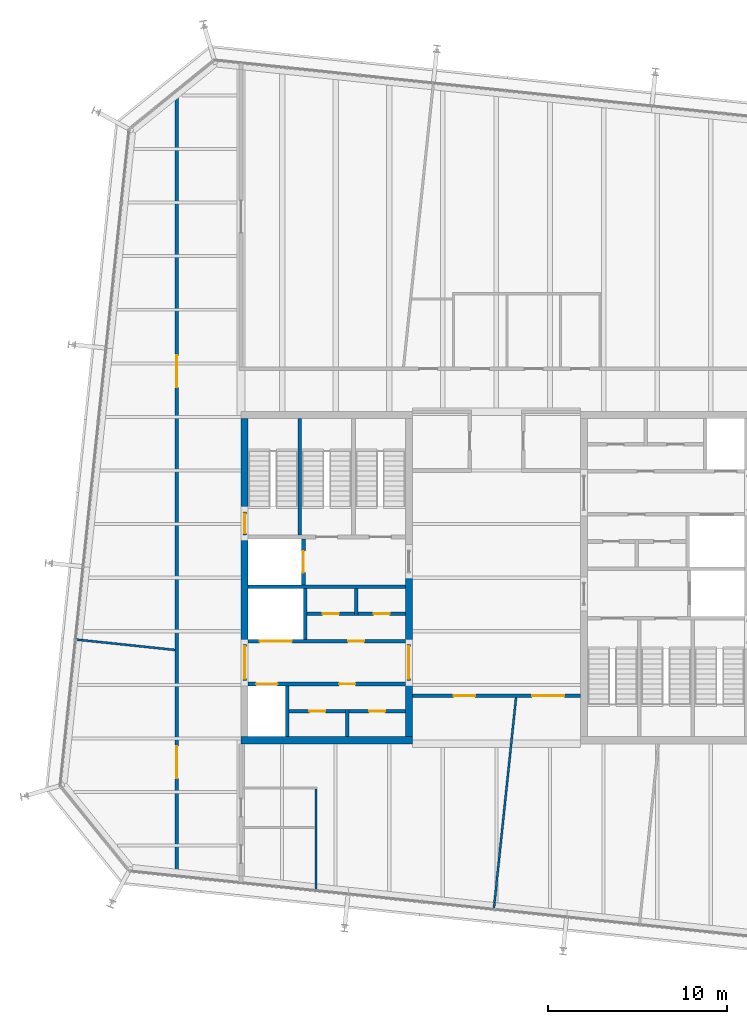
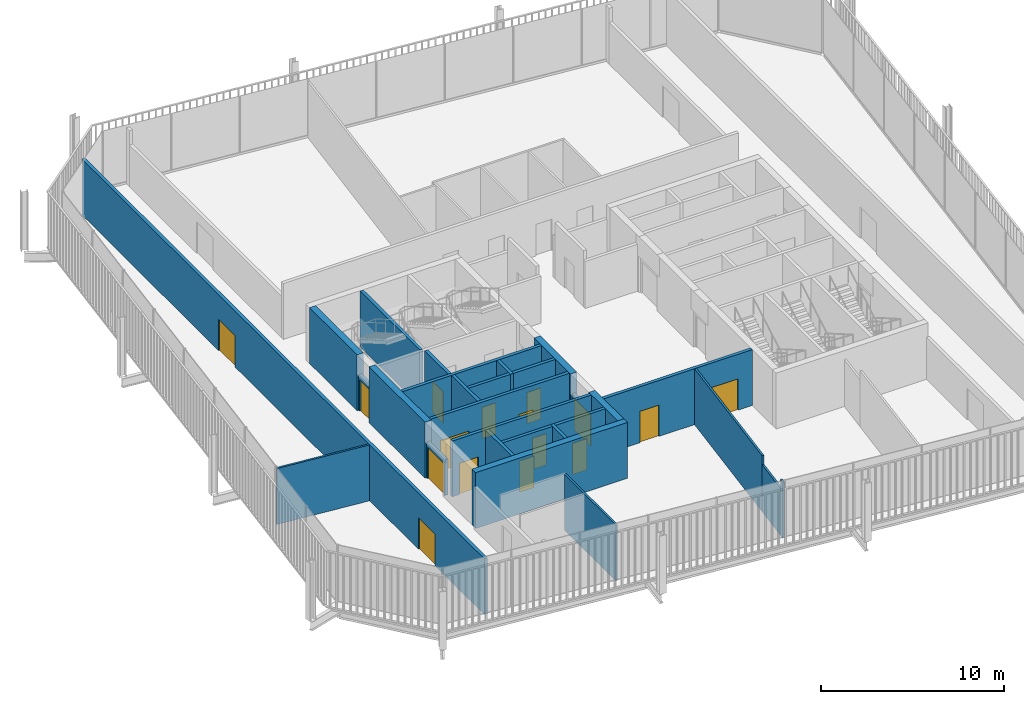
# One storey, part 16 of 20: 26 walls, 16 doors, 16 openings.
"""IFC4 building model written with IfcOpenShell, lengths in metres."""

from ifc_helpers import new_model, si_unit, direction, frame, frame_2d, origin, place, context, subcontext, project, spatial, rectangle, extrude, material, layer, layer_set, type_object, element, fill, save


model = new_model("IFC4")

# Units and contexts
model_context = context("Model", 3, precision=1e-05, world=origin(), true_north=direction((0.0, 1.0)))
body_context = subcontext(model_context, "Body", "Model", "MODEL_VIEW")
ifc_project = project(units=[si_unit("LENGTHUNIT", "METRE"), si_unit("AREAUNIT", "SQUARE_METRE"), si_unit("VOLUMEUNIT", "CUBIC_METRE"), si_unit("PLANEANGLEUNIT", "RADIAN"), si_unit("MASSUNIT", "GRAM", prefix="KILO")], contexts=[model_context])

# Site, building, storey
site_placement = place(None, origin())
site = spatial("IfcSite", under=ifc_project, at=site_placement, CompositionType="ELEMENT")
building_placement = place(site_placement, origin())
building = spatial("IfcBuilding", under=site, at=building_placement, Name="Millrace Tower", CompositionType="ELEMENT")
storey_placement = place(building_placement, frame((0.0, 0.0, 322.60009765625)))
storey = spatial("IfcBuildingStorey", under=building, at=storey_placement, Name="L74", CompositionType="ELEMENT", Elevation=322.60009765625)

# Walls
ifc_material_1 = material(Name="Concrete C60", Category="concrete")
ifc_layer_1 = layer(ifc_material_1, 0.39990234375)
ifc_layer_set_1 = layer_set([ifc_layer_1], Name="Concrete C60")
wall_type_1 = type_object("IfcWallType", Name="Core wall 400 Concrete C60", PredefinedType="SHEAR", material=ifc_layer_set_1)
wall_1_placement = place(storey_placement, frame((-14.300048828125, -9.10009765625, 0.0), z_axis=(0.0, 0.0, 1.0), x_axis=(1.0, 0.0, 0.0)))
element("IfcWall", 1, at=wall_1_placement, inside=storey, type_object=wall_type_1, Name="Core wall W L74", PredefinedType="SHEAR", context=body_context, shape_type="SweptSolid", body=[
    extrude(rectangle(XDim=9.60009765625, YDim=0.39990234375, at=frame_2d((4.800048828125, 0.0))), origin(), (0.0, 0.0, 1.0), 3.739990234375),
])
wall_2_placement = place(storey_placement, frame((-14.10009765625, -3.75, 0.0), z_axis=(0.0, 0.0, 1.0), x_axis=(0.0, 1.0, 0.0)))
element("IfcWall", 2, at=wall_2_placement, inside=storey, type_object=wall_type_1, Name="Core wall W L74", PredefinedType="SHEAR", context=body_context, shape_type="SweptSolid", body=[
    extrude(rectangle(XDim=6.1298828125, YDim=0.39990234375, at=frame_2d((3.06494140625, 0.0))), origin(), (0.0, 0.0, 1.0), 3.739990234375),
])
wall_3_placement = place(storey_placement, frame((-14.10009765625, 3.679931640625, 0.0), z_axis=(0.0, 0.0, 1.0), x_axis=(0.0, 1.0, 0.0)))
element("IfcWall", 3, at=wall_3_placement, inside=storey, type_object=wall_type_1, Name="Core wall W L74", PredefinedType="SHEAR", context=body_context, shape_type="SweptSolid", body=[
    extrude(rectangle(XDim=5.219970703125, YDim=0.39990234375, at=frame_2d((2.60986328125, 0.0))), origin(), (0.0, 0.0, 1.0), 3.739990234375),
])
wall_4_placement = place(storey_placement, frame((-4.89990234375, -8.89990234375, 0.0), z_axis=(0.0, 0.0, 1.0), x_axis=(0.0, 1.0, 0.0)))
element("IfcWall", 4, at=wall_4_placement, inside=storey, type_object=wall_type_1, Name="Core wall W L74", PredefinedType="SHEAR", context=body_context, shape_type="SweptSolid", body=[
    extrude(rectangle(XDim=3.14990234375, YDim=0.39990234375, at=frame_2d((1.574951171875, 0.0))), origin(), (0.0, 0.0, 1.0), 3.739990234375),
])
wall_5_placement = place(storey_placement, frame((-4.89990234375, -3.75, 0.0), z_axis=(0.0, 0.0, 1.0), x_axis=(0.0, 1.0, 0.0)))
element("IfcWall", 5, at=wall_5_placement, inside=storey, type_object=wall_type_1, Name="Core wall W L74", PredefinedType="SHEAR", context=body_context, shape_type="SweptSolid", body=[
    extrude(rectangle(XDim=4.0, YDim=0.39990234375, at=frame_2d((2.0, 0.0))), origin(), (0.0, 0.0, 1.0), 3.739990234375),
])

# Wall, openings, doors
ifc_material_2 = material(Name="Masonry partition, fire-rated", Category="masonry")
ifc_layer_2 = layer(ifc_material_2, 0.199951171875)
ifc_layer_set_2 = layer_set([ifc_layer_2], Name="Masonry partition, fire-rated")
wall_type_2 = type_object("IfcWallType", Name="Corridor wall 200", PredefinedType="PARTITIONING", material=ifc_layer_set_2)
wall_6_placement = place(storey_placement, frame((-4.699951171875, -6.60009765625, 0.0), z_axis=(0.0, 0.0, 1.0), x_axis=(1.0, 0.0, 0.0)))
wall_6 = element("IfcWall", 6, at=wall_6_placement, inside=storey, type_object=wall_type_2, Name="Corridor wall L74", PredefinedType="PARTITIONING", context=body_context, shape_type="SweptSolid", body=[
    extrude(rectangle(XDim=9.39990234375, YDim=0.199951171875, at=frame_2d((4.699951171875, 0.0))), origin(), (0.0, 0.0, 1.0), 3.739990234375),
])
opening_1_placement = place(wall_6_placement, frame((2.304931640625, 0.0, 0.0)))
opening_1 = element("IfcOpeningElement", 7, at=opening_1_placement, cuts=wall_6, Name="Opening 74-P011", PredefinedType="OPENING", context=body_context, shape_type="SweptSolid", body=[
    extrude(rectangle(XDim=1.199951171875, YDim=2.10009765625, at=frame_2d((0.60009765625, 1.050048828125))), frame((0.0, 0.10986328125, 0.0), z_axis=(0.0, -1.0, 0.0), x_axis=(1.0, 0.0, 0.0)), (0.0, 0.0, 1.0), 0.219970703125),
])
opening_2_placement = place(wall_6_placement, frame((6.705078125, 0.0, 0.0)))
opening_2 = element("IfcOpeningElement", 8, at=opening_2_placement, cuts=wall_6, Name="Opening 74-P012", PredefinedType="OPENING", context=body_context, shape_type="SweptSolid", body=[
    extrude(rectangle(XDim=1.800048828125, YDim=2.10009765625, at=frame_2d((0.89990234375, 1.050048828125))), frame((0.0, 0.10986328125, 0.0), z_axis=(0.0, -1.0, 0.0), x_axis=(1.0, 0.0, 0.0)), (0.0, 0.0, 1.0), 0.219970703125),
])
ifc_material_3 = material(Name="Steel door set, fire-rated", Category="steel")
door_type_1 = type_object("IfcDoorType", Name="Corridor door 1200 x 2100", OperationType="SINGLE_SWING_LEFT", PredefinedType="DOOR", material=ifc_material_3)
door_1_placement = place(opening_1_placement, frame((1.199951171875, 0.0, 0.0), z_axis=(0.0, 0.0, 1.0), x_axis=(-1.0, 0.0, 0.0)))
door_1 = element("IfcDoor", 9, at=door_1_placement, inside=storey, type_object=door_type_1, Name="Door 74-P011", OperationType="SINGLE_SWING_RIGHT", OverallHeight=2.10009765625, OverallWidth=1.199951171875, PredefinedType="DOOR", context=body_context, shape_type="SweptSolid", body=[
    extrude(rectangle(XDim=1.199951171875, YDim=2.10009765625, at=frame_2d((0.60009765625, 1.050048828125))), frame((0.0, 0.02490234375, 0.0), z_axis=(0.0, -1.0, 0.0), x_axis=(1.0, 0.0, 0.0)), (0.0, 0.0, 1.0), 0.050048828125),
])
fill(opening_1, door_1)
ifc_material_4 = material(Name="Steel door set, fire-rated", Category="steel")
door_type_2 = type_object("IfcDoorType", Name="Corridor door 1800 x 2100", OperationType="DOUBLE_DOOR_SINGLE_SWING", PredefinedType="DOOR", material=ifc_material_4)
door_2_placement = place(opening_2_placement, frame((1.800048828125, 0.0, 0.0), z_axis=(0.0, 0.0, 1.0), x_axis=(-1.0, 0.0, 0.0)))
door_2 = element("IfcDoor", 10, at=door_2_placement, inside=storey, type_object=door_type_2, Name="Door 74-P012", OperationType="DOUBLE_DOOR_SINGLE_SWING", OverallHeight=2.10009765625, OverallWidth=1.800048828125, PredefinedType="DOOR", context=body_context, shape_type="SweptSolid", body=[
    extrude(rectangle(XDim=1.800048828125, YDim=2.10009765625, at=frame_2d((0.89990234375, 1.050048828125))), frame((0.0, 0.02490234375, 0.0), z_axis=(0.0, -1.0, 0.0), x_axis=(1.0, 0.0, 0.0)), (0.0, 0.0, 1.0), 0.050048828125),
])
fill(opening_2, door_2)

wall_7_placement = place(storey_placement, frame((-17.89990234375, -16.653076171875, 0.0), z_axis=(0.0, 0.0, 1.0), x_axis=(0.0, 1.0, 0.0)))
wall_7 = element("IfcWall", 11, at=wall_7_placement, inside=storey, type_object=wall_type_2, Name="Corridor wall L74", PredefinedType="PARTITIONING", context=body_context, shape_type="SweptSolid", body=[
    extrude(rectangle(XDim=44.071533203125, YDim=0.199951171875, at=frame_2d((22.03564453125, 0.0))), origin(), (0.0, 0.0, 1.0), 3.739990234375),
])
opening_3_placement = place(wall_7_placement, frame((5.424560546875, 0.0, 0.0)))
opening_3 = element("IfcOpeningElement", 12, at=opening_3_placement, cuts=wall_7, Name="Opening 74-P003", PredefinedType="OPENING", context=body_context, shape_type="SweptSolid", body=[
    extrude(rectangle(XDim=1.800048828125, YDim=2.10009765625, at=frame_2d((0.89990234375, 1.050048828125))), frame((0.0, 0.10986328125, 0.0), z_axis=(0.0, -1.0, 0.0), x_axis=(1.0, 0.0, 0.0)), (0.0, 0.0, 1.0), 0.219970703125),
])
opening_4_placement = place(wall_7_placement, frame((27.302978515625, 0.0, 0.0)))
opening_4 = element("IfcOpeningElement", 13, at=opening_4_placement, cuts=wall_7, Name="Opening 74-P004", PredefinedType="OPENING", context=body_context, shape_type="SweptSolid", body=[
    extrude(rectangle(XDim=1.800048828125, YDim=2.10009765625, at=frame_2d((0.89990234375, 1.050048828125))), frame((0.0, 0.10986328125, 0.0), z_axis=(0.0, -1.0, 0.0), x_axis=(1.0, 0.0, 0.0)), (0.0, 0.0, 1.0), 0.219970703125),
])
door_3_placement = place(opening_3_placement, origin())
door_3 = element("IfcDoor", 14, at=door_3_placement, inside=storey, type_object=door_type_2, Name="Door 74-P003", OperationType="DOUBLE_DOOR_SINGLE_SWING", OverallHeight=2.10009765625, OverallWidth=1.800048828125, PredefinedType="DOOR", context=body_context, shape_type="SweptSolid", body=[
    extrude(rectangle(XDim=1.800048828125, YDim=2.10009765625, at=frame_2d((0.89990234375, 1.050048828125))), frame((0.0, 0.02490234375, 0.0), z_axis=(0.0, -1.0, 0.0), x_axis=(1.0, 0.0, 0.0)), (0.0, 0.0, 1.0), 0.050048828125),
])
fill(opening_3, door_3)
door_4_placement = place(opening_4_placement, origin())
door_4 = element("IfcDoor", 15, at=door_4_placement, inside=storey, type_object=door_type_2, Name="Door 74-P004", OperationType="DOUBLE_DOOR_SINGLE_SWING", OverallHeight=2.10009765625, OverallWidth=1.800048828125, PredefinedType="DOOR", context=body_context, shape_type="SweptSolid", body=[
    extrude(rectangle(XDim=1.800048828125, YDim=2.10009765625, at=frame_2d((0.89990234375, 1.050048828125))), frame((0.0, 0.02490234375, 0.0), z_axis=(0.0, -1.0, 0.0), x_axis=(1.0, 0.0, 0.0)), (0.0, 0.0, 1.0), 0.050048828125),
])
fill(opening_4, door_4)

ifc_material_5 = material(Name="Masonry partition, fire-rated", Category="masonry")
ifc_layer_3 = layer(ifc_material_5, 0.199951171875)
ifc_layer_set_3 = layer_set([ifc_layer_3], Name="Masonry partition, fire-rated")
wall_type_3 = type_object("IfcWallType", Name="Lift shaft wall 200", PredefinedType="PARTITIONING", material=ifc_layer_set_3)
wall_8_placement = place(storey_placement, frame((-13.89990234375, -5.949951171875, 0.0), z_axis=(0.0, 0.0, 1.0), x_axis=(1.0, 0.0, 0.0)))
wall_8 = element("IfcWall", 16, at=wall_8_placement, inside=storey, type_object=wall_type_3, Name="Lift shaft wall W L74", PredefinedType="PARTITIONING", context=body_context, shape_type="SweptSolid", body=[
    extrude(rectangle(XDim=8.7998046875, YDim=0.199951171875, at=frame_2d((4.39990234375, 0.0))), origin(), (0.0, 0.0, 1.0), 3.739990234375),
])
opening_5_placement = place(wall_8_placement, frame((0.449951171875, 0.0, 0.0)))
opening_5 = element("IfcOpeningElement", 17, at=opening_5_placement, cuts=wall_8, Name="Opening 74-LD01", PredefinedType="OPENING", context=body_context, shape_type="SweptSolid", body=[
    extrude(rectangle(XDim=1.199951171875, YDim=2.10009765625, at=frame_2d((0.60009765625, 1.050048828125))), frame((0.0, 0.10986328125, 0.0), z_axis=(0.0, -1.0, 0.0), x_axis=(1.0, 0.0, 0.0)), (0.0, 0.0, 1.0), 0.219970703125),
])
opening_6_placement = place(wall_8_placement, frame((5.10009765625, 0.0, 0.0)))
opening_6 = element("IfcOpeningElement", 18, at=opening_6_placement, cuts=wall_8, Name="Opening 74-C005", PredefinedType="OPENING", context=body_context, shape_type="SweptSolid", body=[
    extrude(rectangle(XDim=0.89990234375, YDim=2.10009765625, at=frame_2d((0.449951171875, 1.050048828125))), frame((0.0, 0.10986328125, 0.0), z_axis=(0.0, -1.0, 0.0), x_axis=(1.0, 0.0, 0.0)), (0.0, 0.0, 1.0), 0.219970703125),
])
ifc_material_6 = material(Name="Stainless steel, fire-rated", Category="steel")
door_type_3 = type_object("IfcDoorType", Name="Lift landing door 1200 x 2100", OperationType="DOUBLE_DOOR_SLIDING", PredefinedType="DOOR", material=ifc_material_6)
door_5_placement = place(opening_5_placement, origin())
door_5 = element("IfcDoor", 19, at=door_5_placement, inside=storey, type_object=door_type_3, Name="Lift landing door LF1 L74", OperationType="DOUBLE_DOOR_SLIDING", OverallHeight=2.10009765625, OverallWidth=1.199951171875, PredefinedType="DOOR", context=body_context, shape_type="SweptSolid", body=[
    extrude(rectangle(XDim=1.199951171875, YDim=2.10009765625, at=frame_2d((0.60009765625, 1.050048828125))), frame((0.0, 0.02490234375, 0.0), z_axis=(0.0, -1.0, 0.0), x_axis=(1.0, 0.0, 0.0)), (0.0, 0.0, 1.0), 0.050048828125),
])
fill(opening_5, door_5)
ifc_material_7 = material(Name="Steel door, fire-rated", Category="steel")
door_type_4 = type_object("IfcDoorType", Name="Service room door 900 x 2100", OperationType="SINGLE_SWING_LEFT", PredefinedType="DOOR", material=ifc_material_7)
door_6_placement = place(opening_6_placement, origin())
door_6 = element("IfcDoor", 20, at=door_6_placement, inside=storey, type_object=door_type_4, Name="Service room door 74-C005", OperationType="SINGLE_SWING_RIGHT", OverallHeight=2.10009765625, OverallWidth=0.89990234375, PredefinedType="DOOR", context=body_context, shape_type="SweptSolid", body=[
    extrude(rectangle(XDim=0.89990234375, YDim=2.10009765625, at=frame_2d((0.449951171875, 1.050048828125))), frame((0.0, 0.02490234375, 0.0), z_axis=(0.0, -1.0, 0.0), x_axis=(1.0, 0.0, 0.0)), (0.0, 0.0, 1.0), 0.050048828125),
])
fill(opening_6, door_6)

wall_9_placement = place(storey_placement, frame((-13.89990234375, -3.550048828125, 0.0), z_axis=(0.0, 0.0, 1.0), x_axis=(1.0, 0.0, 0.0)))
wall_9 = element("IfcWall", 21, at=wall_9_placement, inside=storey, type_object=wall_type_3, Name="Lift shaft wall W L74", PredefinedType="PARTITIONING", context=body_context, shape_type="SweptSolid", body=[
    extrude(rectangle(XDim=8.7998046875, YDim=0.199951171875, at=frame_2d((4.39990234375, 0.0))), origin(), (0.0, 0.0, 1.0), 3.739990234375),
])
opening_7_placement = place(wall_9_placement, frame((0.64990234375, 0.0, 0.0)))
opening_7 = element("IfcOpeningElement", 22, at=opening_7_placement, cuts=wall_9, Name="Opening 74-LD05", PredefinedType="OPENING", context=body_context, shape_type="SweptSolid", body=[
    extrude(rectangle(XDim=1.800048828125, YDim=2.10009765625, at=frame_2d((0.89990234375, 1.050048828125))), frame((0.0, 0.10986328125, 0.0), z_axis=(0.0, -1.0, 0.0), x_axis=(1.0, 0.0, 0.0)), (0.0, 0.0, 1.0), 0.219970703125),
])
opening_8_placement = place(wall_9_placement, frame((5.60009765625, 0.0, 0.0)))
opening_8 = element("IfcOpeningElement", 23, at=opening_8_placement, cuts=wall_9, Name="Opening 74-C008", PredefinedType="OPENING", context=body_context, shape_type="SweptSolid", body=[
    extrude(rectangle(XDim=0.89990234375, YDim=2.10009765625, at=frame_2d((0.449951171875, 1.050048828125))), frame((0.0, 0.10986328125, 0.0), z_axis=(0.0, -1.0, 0.0), x_axis=(1.0, 0.0, 0.0)), (0.0, 0.0, 1.0), 0.219970703125),
])
ifc_material_8 = material(Name="Stainless steel, fire-rated", Category="steel")
door_type_5 = type_object("IfcDoorType", Name="Lift landing door 1800 x 2100", OperationType="DOUBLE_DOOR_SLIDING", PredefinedType="DOOR", material=ifc_material_8)
door_7_placement = place(opening_7_placement, origin())
door_7 = element("IfcDoor", 24, at=door_7_placement, inside=storey, type_object=door_type_5, Name="Lift landing door LF5 L74", OperationType="DOUBLE_DOOR_SLIDING", OverallHeight=2.10009765625, OverallWidth=1.800048828125, PredefinedType="DOOR", context=body_context, shape_type="SweptSolid", body=[
    extrude(rectangle(XDim=1.800048828125, YDim=2.10009765625, at=frame_2d((0.89990234375, 1.050048828125))), frame((0.0, 0.02490234375, 0.0), z_axis=(0.0, -1.0, 0.0), x_axis=(1.0, 0.0, 0.0)), (0.0, 0.0, 1.0), 0.050048828125),
])
fill(opening_7, door_7)
door_8_placement = place(opening_8_placement, frame((0.89990234375, 0.0, 0.0), z_axis=(0.0, 0.0, 1.0), x_axis=(-1.0, 0.0, 0.0)))
door_8 = element("IfcDoor", 25, at=door_8_placement, inside=storey, type_object=door_type_4, Name="Service room door 74-C008", OperationType="SINGLE_SWING_LEFT", OverallHeight=2.10009765625, OverallWidth=0.89990234375, PredefinedType="DOOR", context=body_context, shape_type="SweptSolid", body=[
    extrude(rectangle(XDim=0.89990234375, YDim=2.10009765625, at=frame_2d((0.449951171875, 1.050048828125))), frame((0.0, 0.02490234375, 0.0), z_axis=(0.0, -1.0, 0.0), x_axis=(1.0, 0.0, 0.0)), (0.0, 0.0, 1.0), 0.050048828125),
])
fill(opening_8, door_8)

# Wall
wall_10_placement = place(storey_placement, frame((-13.89990234375, -0.5, 0.0), z_axis=(0.0, 0.0, 1.0), x_axis=(1.0, 0.0, 0.0)))
element("IfcWall", 26, at=wall_10_placement, inside=storey, type_object=wall_type_3, Name="Lift shaft wall W L74", PredefinedType="PARTITIONING", context=body_context, shape_type="SweptSolid", body=[
    extrude(rectangle(XDim=8.7998046875, YDim=0.199951171875, at=frame_2d((4.39990234375, 0.0))), origin(), (0.0, 0.0, 1.0), 3.739990234375),
])

# Wall, opening, door
wall_11_placement = place(storey_placement, frame((-10.800048828125, -0.39990234375, 0.0), z_axis=(0.0, 0.0, 1.0), x_axis=(0.0, 1.0, 0.0)))
wall_11 = element("IfcWall", 27, at=wall_11_placement, inside=storey, type_object=wall_type_3, Name="Lift shaft wall W L74", PredefinedType="PARTITIONING", context=body_context, shape_type="SweptSolid", body=[
    extrude(rectangle(XDim=2.579833984375, YDim=0.199951171875, at=frame_2d((1.2900390625, 0.0))), origin(), (0.0, 0.0, 1.0), 3.739990234375),
])
opening_9_placement = place(wall_11_placement, frame((0.68994140625, 0.0, 0.0)))
opening_9 = element("IfcOpeningElement", 28, at=opening_9_placement, cuts=wall_11, Name="Opening 74-LD08", PredefinedType="OPENING", context=body_context, shape_type="SweptSolid", body=[
    extrude(rectangle(XDim=1.199951171875, YDim=2.10009765625, at=frame_2d((0.60009765625, 1.050048828125))), frame((0.0, 0.10986328125, 0.0), z_axis=(0.0, -1.0, 0.0), x_axis=(1.0, 0.0, 0.0)), (0.0, 0.0, 1.0), 0.219970703125),
])
door_9_placement = place(opening_9_placement, origin())
door_9 = element("IfcDoor", 29, at=door_9_placement, inside=storey, type_object=door_type_3, Name="Lift landing door LF8 L74", OperationType="DOUBLE_DOOR_SLIDING", OverallHeight=2.10009765625, OverallWidth=1.199951171875, PredefinedType="DOOR", context=body_context, shape_type="SweptSolid", body=[
    extrude(rectangle(XDim=1.199951171875, YDim=2.10009765625, at=frame_2d((0.60009765625, 1.050048828125))), frame((0.0, 0.02490234375, 0.0), z_axis=(0.0, -1.0, 0.0), x_axis=(1.0, 0.0, 0.0)), (0.0, 0.0, 1.0), 0.050048828125),
])
fill(opening_9, door_9)

# Walls
for number, where, z_axis, x_axis, name in (
    (30, (-11.699951171875, -8.89990234375, 0.0), (0.0, 0.0, 1.0), (0.0, 1.0, 0.0), "Lift shaft wall W L74"),
    (31, (-10.699951171875, -3.449951171875, 0.0), (0.0, 0.0, 1.0), (0.0, 1.0, 0.0), "Lift shaft wall W L74"),
):
    element("IfcWall", number, at=place(storey_placement, frame(where, z_axis=z_axis, x_axis=x_axis)), inside=storey, type_object=wall_type_3, Name=name, PredefinedType="PARTITIONING", context=body_context, shape_type="SweptSolid", body=[
        extrude(rectangle(XDim=2.849853515625, YDim=0.199951171875, at=frame_2d((1.4248046875, 0.0))), origin(), (0.0, 0.0, 1.0), 3.739990234375),
    ])

# Wall, opening, door
ifc_material_9 = material(Name="Masonry partition, fire-rated", Category="masonry")
ifc_layer_4 = layer(ifc_material_9, 0.199951171875)
ifc_layer_set_4 = layer_set([ifc_layer_4], Name="Masonry partition, fire-rated")
wall_type_4 = type_object("IfcWallType", Name="Lobby wall 200", PredefinedType="PARTITIONING", material=ifc_layer_set_4)
wall_12_placement = place(storey_placement, frame((-14.10009765625, -5.75, 0.0), z_axis=(0.0, 0.0, 1.0), x_axis=(0.0, 1.0, 0.0)))
wall_12 = element("IfcWall", 32, at=wall_12_placement, inside=storey, type_object=wall_type_4, Name="Lobby wall W L74", PredefinedType="PARTITIONING", context=body_context, shape_type="SweptSolid", body=[
    extrude(rectangle(XDim=2.0, YDim=0.199951171875, at=frame_2d((1.0, 0.0))), origin(), (0.0, 0.0, 1.0), 2.39990234375),
])
opening_10_placement = place(wall_12_placement, frame((0.10009765625, 0.0, 0.0)))
opening_10 = element("IfcOpeningElement", 33, at=opening_10_placement, cuts=wall_12, Name="Opening 74-C001", PredefinedType="OPENING", context=body_context, shape_type="SweptSolid", body=[
    extrude(rectangle(XDim=1.800048828125, YDim=2.10009765625, at=frame_2d((0.89990234375, 1.050048828125))), frame((0.0, 0.10986328125, 0.0), z_axis=(0.0, -1.0, 0.0), x_axis=(1.0, 0.0, 0.0)), (0.0, 0.0, 1.0), 0.219970703125),
])
ifc_material_10 = material(Name="Steel door, fire-rated", Category="steel")
door_type_6 = type_object("IfcDoorType", Name="Lobby door 1800 x 2100", OperationType="DOUBLE_DOOR_SINGLE_SWING", PredefinedType="DOOR", material=ifc_material_10)
door_10_placement = place(opening_10_placement, origin())
door_10 = element("IfcDoor", 34, at=door_10_placement, inside=storey, type_object=door_type_6, Name="Lobby door 74-C001", OperationType="DOUBLE_DOOR_SINGLE_SWING", OverallHeight=2.10009765625, OverallWidth=1.800048828125, PredefinedType="DOOR", context=body_context, shape_type="SweptSolid", body=[
    extrude(rectangle(XDim=1.800048828125, YDim=2.10009765625, at=frame_2d((0.89990234375, 1.050048828125))), frame((0.0, 0.02490234375, 0.0), z_axis=(0.0, -1.0, 0.0), x_axis=(1.0, 0.0, 0.0)), (0.0, 0.0, 1.0), 0.050048828125),
])
fill(opening_10, door_10)

wall_13_placement = place(storey_placement, frame((-4.89990234375, -5.75, 0.0), z_axis=(0.0, 0.0, 1.0), x_axis=(0.0, 1.0, 0.0)))
wall_13 = element("IfcWall", 35, at=wall_13_placement, inside=storey, type_object=wall_type_4, Name="Lobby wall W L74", PredefinedType="PARTITIONING", context=body_context, shape_type="SweptSolid", body=[
    extrude(rectangle(XDim=2.0, YDim=0.199951171875, at=frame_2d((1.0, 0.0))), origin(), (0.0, 0.0, 1.0), 2.39990234375),
])
opening_11_placement = place(wall_13_placement, frame((0.10009765625, 0.0, 0.0)))
opening_11 = element("IfcOpeningElement", 36, at=opening_11_placement, cuts=wall_13, Name="Opening 74-C003", PredefinedType="OPENING", context=body_context, shape_type="SweptSolid", body=[
    extrude(rectangle(XDim=1.800048828125, YDim=2.10009765625, at=frame_2d((0.89990234375, 1.050048828125))), frame((0.0, 0.10986328125, 0.0), z_axis=(0.0, -1.0, 0.0), x_axis=(1.0, 0.0, 0.0)), (0.0, 0.0, 1.0), 0.219970703125),
])
door_11_placement = place(opening_11_placement, frame((1.800048828125, 0.0, 0.0), z_axis=(0.0, 0.0, 1.0), x_axis=(-1.0, 0.0, 0.0)))
door_11 = element("IfcDoor", 37, at=door_11_placement, inside=storey, type_object=door_type_6, Name="Lobby door 74-C003", OperationType="DOUBLE_DOOR_SINGLE_SWING", OverallHeight=2.10009765625, OverallWidth=1.800048828125, PredefinedType="DOOR", context=body_context, shape_type="SweptSolid", body=[
    extrude(rectangle(XDim=1.800048828125, YDim=2.10009765625, at=frame_2d((0.89990234375, 1.050048828125))), frame((0.0, 0.02490234375, 0.0), z_axis=(0.0, -1.0, 0.0), x_axis=(1.0, 0.0, 0.0)), (0.0, 0.0, 1.0), 0.050048828125),
])
fill(opening_11, door_11)

# Walls
ifc_material_11 = material(Name="Gypsum board partition")
ifc_layer_5 = layer(ifc_material_11, 0.1201171875)
ifc_layer_set_5 = layer_set([ifc_layer_5], Name="Gypsum board partition")
wall_type_5 = type_object("IfcWallType", Name="Partition wall 120", PredefinedType="PARTITIONING", material=ifc_layer_set_5)
wall_14_placement = place(storey_placement, frame((-23.526611328125, -3.462890625, 0.0), z_axis=(0.0, 0.0, 1.0), x_axis=(0.994528537012, -0.104465252927, 0.0)))
element("IfcWall", 38, at=wall_14_placement, inside=storey, type_object=wall_type_5, Name="Partition wall L74", PredefinedType="PARTITIONING", context=body_context, shape_type="SweptSolid", body=[
    extrude(rectangle(XDim=5.5576171875, YDim=0.1201171875, at=frame_2d((2.77880859375, 0.0))), origin(), (0.0, 0.0, 1.0), 3.739990234375),
])
wall_15_placement = place(storey_placement, frame((-0.14208984375, -18.51953125, 0.0), z_axis=(0.0, 0.0, 1.0), x_axis=(0.104219761224, 0.994554292822, 0.0)))
element("IfcWall", 39, at=wall_15_placement, inside=storey, type_object=wall_type_5, Name="Partition wall L74", PredefinedType="PARTITIONING", context=body_context, shape_type="SweptSolid", body=[
    extrude(rectangle(XDim=0.327880859375, YDim=0.1201171875, at=frame_2d((0.1640625, 0.0))), origin(), (0.0, 0.0, 1.0), 3.739990234375),
])
wall_16_placement = place(storey_placement, frame((-0.10791015625, -18.193359375, 0.0), z_axis=(0.0, 0.0, 1.0), x_axis=(0.104462304408, 0.99452884672, 0.0)))
element("IfcWall", 40, at=wall_16_placement, inside=storey, type_object=wall_type_5, Name="Partition wall L74", PredefinedType="PARTITIONING", context=body_context, shape_type="SweptSolid", body=[
    extrude(rectangle(XDim=2.456298828125, YDim=0.1201171875, at=frame_2d((1.22802734375, 0.0))), origin(), (0.0, 0.0, 1.0), 3.140380859375),
])
wall_17_placement = place(storey_placement, frame((0.148681640625, -15.75048828125, 0.0), z_axis=(0.0, 0.0, 1.0), x_axis=(0.104487885815, 0.994526159393, 0.0)))
element("IfcWall", 41, at=wall_17_placement, inside=storey, type_object=wall_type_5, Name="Partition wall L74", PredefinedType="PARTITIONING", context=body_context, shape_type="SweptSolid", body=[
    extrude(rectangle(XDim=9.100830078125, YDim=0.1201171875, at=frame_2d((4.55029296875, 0.0))), origin(), (0.0, 0.0, 1.0), 3.739990234375),
])
wall_18_placement = place(storey_placement, frame((-10.10009765625, -17.472900390625, 0.0), z_axis=(0.0, 0.0, 1.0), x_axis=(0.0, 1.0, 0.0)))
element("IfcWall", 42, at=wall_18_placement, inside=storey, type_object=wall_type_5, Name="Partition wall L74", PredefinedType="PARTITIONING", context=body_context, shape_type="SweptSolid", body=[
    extrude(rectangle(XDim=5.6318359375, YDim=0.1201171875, at=frame_2d((2.81591796875, 0.0))), origin(), (0.0, 0.0, 1.0), 3.739990234375),
])

# Wall, openings, doors
ifc_material_12 = material(Name="Masonry partition, fire-rated", Category="masonry")
ifc_layer_6 = layer(ifc_material_12, 0.199951171875)
ifc_layer_set_6 = layer_set([ifc_layer_6], Name="Masonry partition, fire-rated")
wall_type_6 = type_object("IfcWallType", Name="Room partition 200", PredefinedType="PARTITIONING", material=ifc_layer_set_6)
wall_19_placement = place(storey_placement, frame((-11.60009765625, -7.47509765625, 0.0), z_axis=(0.0, 0.0, 1.0), x_axis=(1.0, 0.0, 0.0)))
wall_19 = element("IfcWall", 43, at=wall_19_placement, inside=storey, type_object=wall_type_6, Name="Room partition W L74", PredefinedType="PARTITIONING", context=body_context, shape_type="SweptSolid", body=[
    extrude(rectangle(XDim=6.5, YDim=0.199951171875, at=frame_2d((3.25, 0.0))), origin(), (0.0, 0.0, 1.0), 3.739990234375),
])
opening_12_placement = place(wall_19_placement, frame((1.125, 0.0, 0.0)))
opening_12 = element("IfcOpeningElement", 44, at=opening_12_placement, cuts=wall_19, Name="Opening 74-C006", PredefinedType="OPENING", context=body_context, shape_type="SweptSolid", body=[
    extrude(rectangle(XDim=0.89990234375, YDim=2.10009765625, at=frame_2d((0.449951171875, 1.050048828125))), frame((0.0, 0.10986328125, 0.0), z_axis=(0.0, -1.0, 0.0), x_axis=(1.0, 0.0, 0.0)), (0.0, 0.0, 1.0), 0.219970703125),
])
opening_13_placement = place(wall_19_placement, frame((4.47509765625, 0.0, 0.0)))
opening_13 = element("IfcOpeningElement", 45, at=opening_13_placement, cuts=wall_19, Name="Opening 74-C007", PredefinedType="OPENING", context=body_context, shape_type="SweptSolid", body=[
    extrude(rectangle(XDim=0.89990234375, YDim=2.10009765625, at=frame_2d((0.449951171875, 1.050048828125))), frame((0.0, 0.10986328125, 0.0), z_axis=(0.0, -1.0, 0.0), x_axis=(1.0, 0.0, 0.0)), (0.0, 0.0, 1.0), 0.219970703125),
])
door_12_placement = place(opening_12_placement, frame((0.89990234375, 0.0, 0.0), z_axis=(0.0, 0.0, 1.0), x_axis=(-1.0, 0.0, 0.0)))
door_12 = element("IfcDoor", 46, at=door_12_placement, inside=storey, type_object=door_type_4, Name="Service room door 74-C006", OperationType="SINGLE_SWING_RIGHT", OverallHeight=2.10009765625, OverallWidth=0.89990234375, PredefinedType="DOOR", context=body_context, shape_type="SweptSolid", body=[
    extrude(rectangle(XDim=0.89990234375, YDim=2.10009765625, at=frame_2d((0.449951171875, 1.050048828125))), frame((0.0, 0.02490234375, 0.0), z_axis=(0.0, -1.0, 0.0), x_axis=(1.0, 0.0, 0.0)), (0.0, 0.0, 1.0), 0.050048828125),
])
fill(opening_12, door_12)
door_13_placement = place(opening_13_placement, frame((0.89990234375, 0.0, 0.0), z_axis=(0.0, 0.0, 1.0), x_axis=(-1.0, 0.0, 0.0)))
door_13 = element("IfcDoor", 47, at=door_13_placement, inside=storey, type_object=door_type_4, Name="Service room door 74-C007", OperationType="SINGLE_SWING_LEFT", OverallHeight=2.10009765625, OverallWidth=0.89990234375, PredefinedType="DOOR", context=body_context, shape_type="SweptSolid", body=[
    extrude(rectangle(XDim=0.89990234375, YDim=2.10009765625, at=frame_2d((0.449951171875, 1.050048828125))), frame((0.0, 0.02490234375, 0.0), z_axis=(0.0, -1.0, 0.0), x_axis=(1.0, 0.0, 0.0)), (0.0, 0.0, 1.0), 0.050048828125),
])
fill(opening_13, door_13)

# Wall
wall_20_placement = place(storey_placement, frame((-8.35009765625, -8.89990234375, 0.0), z_axis=(0.0, 0.0, 1.0), x_axis=(0.0, 1.0, 0.0)))
element("IfcWall", 48, at=wall_20_placement, inside=storey, type_object=wall_type_6, Name="Room partition W L74", PredefinedType="PARTITIONING", context=body_context, shape_type="SweptSolid", body=[
    extrude(rectangle(XDim=1.52490234375, YDim=0.199951171875, at=frame_2d((0.762451171875, 0.0))), origin(), (0.0, 0.0, 1.0), 3.739990234375),
])

# Wall, openings, doors
wall_21_placement = place(storey_placement, frame((-10.60009765625, -2.02490234375, 0.0), z_axis=(0.0, 0.0, 1.0), x_axis=(1.0, 0.0, 0.0)))
wall_21 = element("IfcWall", 49, at=wall_21_placement, inside=storey, type_object=wall_type_6, Name="Room partition W L74", PredefinedType="PARTITIONING", context=body_context, shape_type="SweptSolid", body=[
    extrude(rectangle(XDim=5.5, YDim=0.199951171875, at=frame_2d((2.75, 0.0))), origin(), (0.0, 0.0, 1.0), 3.739990234375),
])
opening_14_placement = place(wall_21_placement, frame((0.875, 0.0, 0.0)))
opening_14 = element("IfcOpeningElement", 50, at=opening_14_placement, cuts=wall_21, Name="Opening 74-C009", PredefinedType="OPENING", context=body_context, shape_type="SweptSolid", body=[
    extrude(rectangle(XDim=0.89990234375, YDim=2.10009765625, at=frame_2d((0.449951171875, 1.050048828125))), frame((0.0, 0.10986328125, 0.0), z_axis=(0.0, -1.0, 0.0), x_axis=(1.0, 0.0, 0.0)), (0.0, 0.0, 1.0), 0.219970703125),
])
opening_15_placement = place(wall_21_placement, frame((3.72509765625, 0.0, 0.0)))
opening_15 = element("IfcOpeningElement", 51, at=opening_15_placement, cuts=wall_21, Name="Opening 74-C010", PredefinedType="OPENING", context=body_context, shape_type="SweptSolid", body=[
    extrude(rectangle(XDim=0.89990234375, YDim=2.10009765625, at=frame_2d((0.449951171875, 1.050048828125))), frame((0.0, 0.10986328125, 0.0), z_axis=(0.0, -1.0, 0.0), x_axis=(1.0, 0.0, 0.0)), (0.0, 0.0, 1.0), 0.219970703125),
])
door_14_placement = place(opening_14_placement, origin())
door_14 = element("IfcDoor", 52, at=door_14_placement, inside=storey, type_object=door_type_4, Name="Service room door 74-C009", OperationType="SINGLE_SWING_LEFT", OverallHeight=2.10009765625, OverallWidth=0.89990234375, PredefinedType="DOOR", context=body_context, shape_type="SweptSolid", body=[
    extrude(rectangle(XDim=0.89990234375, YDim=2.10009765625, at=frame_2d((0.449951171875, 1.050048828125))), frame((0.0, 0.02490234375, 0.0), z_axis=(0.0, -1.0, 0.0), x_axis=(1.0, 0.0, 0.0)), (0.0, 0.0, 1.0), 0.050048828125),
])
fill(opening_14, door_14)
door_15_placement = place(opening_15_placement, origin())
door_15 = element("IfcDoor", 53, at=door_15_placement, inside=storey, type_object=door_type_4, Name="Service room door 74-C010", OperationType="SINGLE_SWING_RIGHT", OverallHeight=2.10009765625, OverallWidth=0.89990234375, PredefinedType="DOOR", context=body_context, shape_type="SweptSolid", body=[
    extrude(rectangle(XDim=0.89990234375, YDim=2.10009765625, at=frame_2d((0.449951171875, 1.050048828125))), frame((0.0, 0.02490234375, 0.0), z_axis=(0.0, -1.0, 0.0), x_axis=(1.0, 0.0, 0.0)), (0.0, 0.0, 1.0), 0.050048828125),
])
fill(opening_15, door_15)

# Wall
wall_22_placement = place(storey_placement, frame((-7.85009765625, -2.125, 0.0), z_axis=(0.0, 0.0, 1.0), x_axis=(0.0, 1.0, 0.0)))
element("IfcWall", 54, at=wall_22_placement, inside=storey, type_object=wall_type_6, Name="Room partition W L74", PredefinedType="PARTITIONING", context=body_context, shape_type="SweptSolid", body=[
    extrude(rectangle(XDim=1.52490234375, YDim=0.199951171875, at=frame_2d((0.762451171875, 0.0))), origin(), (0.0, 0.0, 1.0), 3.739990234375),
])

# Wall, opening, door
ifc_material_13 = material(Name="Concrete C40", Category="concrete")
ifc_layer_7 = layer(ifc_material_13, 0.199951171875)
ifc_layer_set_7 = layer_set([ifc_layer_7], Name="Concrete C40")
wall_type_7 = type_object("IfcWallType", Name="Stair enclosure wall 200 Concrete C40", PredefinedType="SHEAR", material=ifc_layer_set_7)
wall_23_placement = place(storey_placement, frame((-14.10009765625, 2.3798828125, 0.0), z_axis=(0.0, 0.0, 1.0), x_axis=(0.0, 1.0, 0.0)))
wall_23 = element("IfcWall", 55, at=wall_23_placement, inside=storey, type_object=wall_type_7, Name="Stair enclosure wall W L74", PredefinedType="SHEAR", context=body_context, shape_type="SweptSolid", body=[
    extrude(rectangle(XDim=1.300048828125, YDim=0.199951171875, at=frame_2d((0.64990234375, 0.0))), origin(), (0.0, 0.0, 1.0), 2.39990234375),
])
opening_16_placement = place(wall_23_placement, frame((0.10009765625, 0.0, 0.0)))
opening_16 = element("IfcOpeningElement", 56, at=opening_16_placement, cuts=wall_23, Name="Opening 74-C002", PredefinedType="OPENING", context=body_context, shape_type="SweptSolid", body=[
    extrude(rectangle(XDim=1.10009765625, YDim=2.10009765625, at=frame_2d((0.550048828125, 1.050048828125))), frame((0.0, 0.10986328125, 0.0), z_axis=(0.0, -1.0, 0.0), x_axis=(1.0, 0.0, 0.0)), (0.0, 0.0, 1.0), 0.219970703125),
])
ifc_material_14 = material(Name="Steel door, fire-rated", Category="steel")
door_type_7 = type_object("IfcDoorType", Name="Stair door 1100 x 2100", OperationType="SINGLE_SWING_LEFT", PredefinedType="DOOR", material=ifc_material_14)
door_16_placement = place(opening_16_placement, origin())
door_16 = element("IfcDoor", 57, at=door_16_placement, inside=storey, type_object=door_type_7, Name="Stair door 74-C002", OperationType="SINGLE_SWING_LEFT", OverallHeight=2.10009765625, OverallWidth=1.10009765625, PredefinedType="DOOR", context=body_context, shape_type="SweptSolid", body=[
    extrude(rectangle(XDim=1.10009765625, YDim=2.10009765625, at=frame_2d((0.550048828125, 1.050048828125))), frame((0.0, 0.02490234375, 0.0), z_axis=(0.0, -1.0, 0.0), x_axis=(1.0, 0.0, 0.0)), (0.0, 0.0, 1.0), 0.050048828125),
])
fill(opening_16, door_16)

# Wall
wall_24_placement = place(storey_placement, frame((-11.0, 2.3798828125, 0.0), z_axis=(0.0, 0.0, 1.0), x_axis=(0.0, 1.0, 0.0)))
element("IfcWall", 58, at=wall_24_placement, inside=storey, type_object=wall_type_7, Name="Stair enclosure wall W L74", PredefinedType="SHEAR", context=body_context, shape_type="SweptSolid", body=[
    extrude(rectangle(XDim=6.52001953125, YDim=0.199951171875, at=frame_2d((3.260009765625, 0.0))), origin(), (0.0, 0.0, 1.0), 3.739990234375),
])

save(model, "model.ifc")
